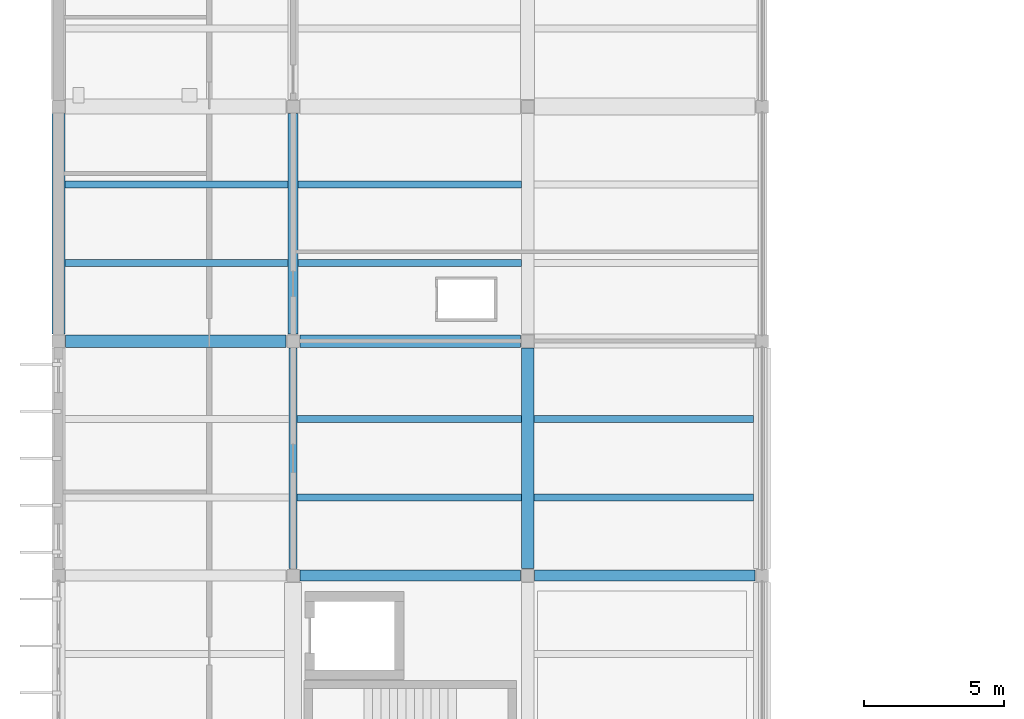
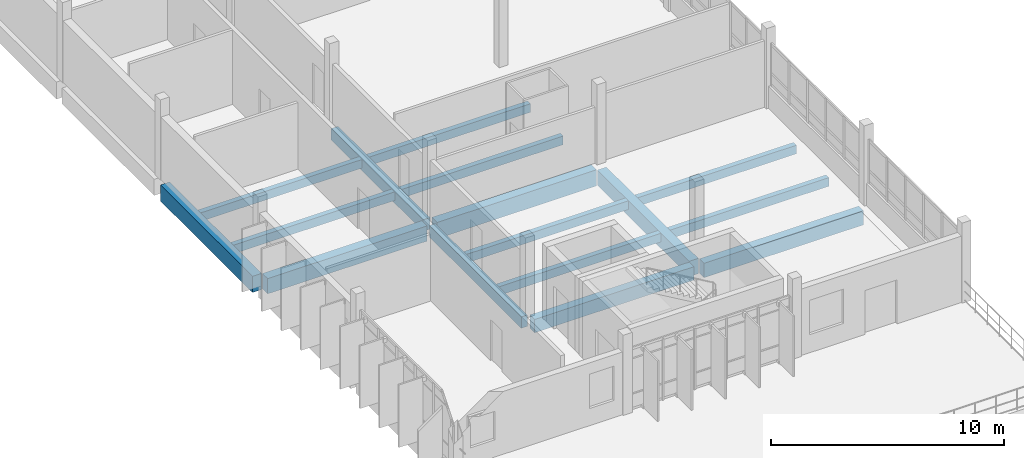
# One storey, part 7 of 62: 16 beams.
"""IFC4 building model written with IfcOpenShell, lengths in metres."""

from ifc_helpers import new_model, si_unit, direction, frame, origin, origin_2d, place, context, subcontext, project, spatial, rectangle, extrude, material, material_profile, profile_set, type_object, element, save


model = new_model("IFC4")

# Units and contexts
model_context = context("Model", 3, precision=1e-05, world=origin(), true_north=direction((0.0, 1.0)))
body_context = subcontext(model_context, "Body", "Model", "MODEL_VIEW")
ifc_project = project(units=[si_unit("LENGTHUNIT", "METRE"), si_unit("AREAUNIT", "SQUARE_METRE"), si_unit("VOLUMEUNIT", "CUBIC_METRE"), si_unit("PLANEANGLEUNIT", "RADIAN"), si_unit("MASSUNIT", "GRAM", prefix="KILO")], contexts=[model_context])

# Site, building, storey
site_placement = place(None, origin())
site = spatial("IfcSite", under=ifc_project, at=site_placement, CompositionType="ELEMENT")
building_placement = place(site_placement, origin())
building = spatial("IfcBuilding", under=site, at=building_placement, Name="Vireocrest Preparatory School", CompositionType="ELEMENT")
storey_placement = place(building_placement, frame((0.0, 0.0, 17.39990234375)))
storey = spatial("IfcBuildingStorey", under=building, at=storey_placement, Name="L04", CompositionType="ELEMENT", Elevation=17.39990234375)

# Beams
ifc_material = material(Name="Concrete 40 MPa", Category="concrete")
ifc_material_profile_1 = material_profile(ifc_material, rectangle(XDim=0.300048828125, YDim=0.60009765625, at=origin_2d()), Name="RC 300x600")
ifc_profile_set_1 = profile_set([ifc_material_profile_1], Name="Concrete 40 MPa")
beam_type_1 = type_object("IfcBeamType", Name="RC Classroom Beam 300x600", PredefinedType="BEAM", material=ifc_profile_set_1)
beam_1_placement = place(storey_placement, frame((50.39990234375, 52.449951171875, -0.539794921875), z_axis=(0.0, 1.0, 0.0), x_axis=(-1.0, 0.0, 0.0)))
element("IfcBeam", 1, at=beam_1_placement, inside=storey, type_object=beam_type_1, Name="Primary Girder B03 L04-1364", PredefinedType="BEAM", context=body_context, shape_type="SweptSolid", body=[
    extrude(rectangle(XDim=0.300048828125, YDim=0.60009765625, at=origin_2d()), origin(), (0.0, 0.0, 1.0), 7.900146484375),
])
ifc_material_profile_2 = material_profile(ifc_material, rectangle(XDim=0.35009765625, YDim=0.60009765625, at=origin_2d()), Name="RC 350x600")
ifc_profile_set_2 = profile_set([ifc_material_profile_2], Name="Concrete 40 MPa")
beam_type_2 = type_object("IfcBeamType", Name="RC Classroom Girder 350x600", PredefinedType="BEAM", material=ifc_profile_set_2)
beam_2_placement = place(storey_placement, frame((50.39990234375, 60.85009765625, -0.539794921875), z_axis=(0.0, 1.0, 0.0), x_axis=(-1.0, 0.0, 0.0)))
element("IfcBeam", 2, at=beam_2_placement, inside=storey, type_object=beam_type_2, Name="Primary Girder B04 L04-1365", PredefinedType="BEAM", context=body_context, shape_type="SweptSolid", body=[
    extrude(rectangle(XDim=0.35009765625, YDim=0.60009765625, at=origin_2d()), origin(), (0.0, 0.0, 1.0), 7.89990234375),
])
ifc_material_profile_3 = material_profile(ifc_material, rectangle(XDim=0.39990234375, YDim=0.75, at=origin_2d()), Name="RC 400x750")
ifc_profile_set_3 = profile_set([ifc_material_profile_3], Name="Concrete 40 MPa")
beam_type_3 = type_object("IfcBeamType", Name="RC Commons Girder 400x750", PredefinedType="BEAM", material=ifc_profile_set_3)
beam_3_placement = place(storey_placement, frame((59.050048828125, 52.199951171875, -0.614990234375), z_axis=(1.0, 0.0, 0.0), x_axis=(0.0, 1.0, 0.0)))
element("IfcBeam", 3, at=beam_3_placement, inside=storey, type_object=beam_type_3, Name="Primary Girder B09 L04-1303", PredefinedType="BEAM", context=body_context, shape_type="SweptSolid", body=[
    extrude(rectangle(XDim=0.39990234375, YDim=0.75, at=origin_2d()), origin(), (0.0, 0.0, 1.0), 7.89990234375),
])
ifc_material_profile_4 = material_profile(ifc_material, rectangle(XDim=0.39990234375, YDim=0.699951171875, at=origin_2d()), Name="RC 400x700")
ifc_profile_set_4 = profile_set([ifc_material_profile_4], Name="Concrete 40 MPa")
beam_type_4 = type_object("IfcBeamType", Name="RC Corridor Girder 400x700", PredefinedType="BEAM", material=ifc_profile_set_4)
beam_4_placement = place(storey_placement, frame((50.64990234375, 52.199951171875, -0.58984375), z_axis=(1.0, 0.0, 0.0), x_axis=(0.0, 1.0, 0.0)))
element("IfcBeam", 4, at=beam_4_placement, inside=storey, type_object=beam_type_4, Name="Primary Girder B08 L04-1302", PredefinedType="BEAM", context=body_context, shape_type="SweptSolid", body=[
    extrude(rectangle(XDim=0.39990234375, YDim=0.699951171875, at=origin_2d()), origin(), (0.0, 0.0, 1.0), 7.900146484375),
])
ifc_material_profile_5 = material_profile(ifc_material, rectangle(XDim=0.449951171875, YDim=0.85009765625, at=origin_2d()), Name="RC 450x850")
ifc_profile_set_5 = profile_set([ifc_material_profile_5], Name="Concrete 40 MPa")
beam_type_5 = type_object("IfcBeamType", Name="RC Heavy Floor Girder 450x850", PredefinedType="BEAM", material=ifc_profile_set_5)
beam_5_placement = place(storey_placement, frame((50.64990234375, 60.60009765625, -0.664794921875), z_axis=(1.0, 0.0, 0.0), x_axis=(0.0, 1.0, 0.0)))
element("IfcBeam", 5, at=beam_5_placement, inside=storey, type_object=beam_type_5, Name="Primary Girder B13 L04-1307", PredefinedType="BEAM", context=body_context, shape_type="SweptSolid", body=[
    extrude(rectangle(XDim=0.449951171875, YDim=0.85009765625, at=origin_2d()), origin(), (0.0, 0.0, 1.0), 7.900146484375),
])
beam_6_placement = place(storey_placement, frame((42.0, 60.85009765625, -0.664794921875), z_axis=(0.0, 1.0, 0.0), x_axis=(-1.0, 0.0, 0.0)))
element("IfcBeam", 6, at=beam_6_placement, inside=storey, type_object=beam_type_5, Name="Primary Girder B13 L04-1356", PredefinedType="BEAM", context=body_context, shape_type="SweptSolid", body=[
    extrude(rectangle(XDim=0.449951171875, YDim=0.85009765625, at=origin_2d()), origin(), (0.0, 0.0, 1.0), 7.89990234375),
])
ifc_material_profile_6 = material_profile(ifc_material, rectangle(XDim=0.449951171875, YDim=0.800048828125, at=origin_2d()), Name="RC 450x800")
ifc_profile_set_6 = profile_set([ifc_material_profile_6], Name="Concrete 40 MPa")
beam_type_6 = type_object("IfcBeamType", Name="RC Library Stack Girder 450x800", PredefinedType="BEAM", material=ifc_profile_set_6)
beam_7_placement = place(storey_placement, frame((42.25, 60.60009765625, -0.639892578125), z_axis=(1.0, 0.0, 0.0), x_axis=(0.0, 1.0, 0.0)))
element("IfcBeam", 7, at=beam_7_placement, inside=storey, type_object=beam_type_6, Name="Primary Girder B12 L04-1306", PredefinedType="BEAM", context=body_context, shape_type="SweptSolid", body=[
    extrude(rectangle(XDim=0.449951171875, YDim=0.800048828125, at=origin_2d()), origin(), (0.0, 0.0, 1.0), 7.89990234375),
])
beam_8_placement = place(storey_placement, frame((58.800048828125, 52.449951171875, -0.639892578125), z_axis=(0.0, 1.0, 0.0), x_axis=(-1.0, 0.0, 0.0)))
element("IfcBeam", 8, at=beam_8_placement, inside=storey, type_object=beam_type_6, Name="Primary Girder B12 L04-1373", PredefinedType="BEAM", context=body_context, shape_type="SweptSolid", body=[
    extrude(rectangle(XDim=0.449951171875, YDim=0.800048828125, at=origin_2d()), origin(), (0.0, 0.0, 1.0), 7.900146484375),
])
ifc_material_profile_7 = material_profile(ifc_material, rectangle(XDim=0.25, YDim=0.449951171875, at=origin_2d()), Name="RC 250x450")
ifc_profile_set_7 = profile_set([ifc_material_profile_7], Name="Concrete 40 MPa")
beam_type_7 = type_object("IfcBeamType", Name="RC Secondary Floor Joist 250x450", PredefinedType="JOIST", material=ifc_profile_set_7)
for number, where, z_axis, x_axis, name in (
    (9, (42.22509765625, 63.39990234375, -0.46484375), (1.0, 0.0, 0.0), (0.0, 1.0, 0.0), "Secondary Joist J01 L04-1427"),
    (10, (42.22509765625, 66.199951171875, -0.46484375), (1.0, 0.0, 0.0), (0.0, 1.0, 0.0), "Secondary Joist J01 L04-1428"),
):
    element("IfcBeam", number, at=place(storey_placement, frame(where, z_axis=z_axis, x_axis=x_axis)), inside=storey, type_object=beam_type_7, Name=name, PredefinedType="JOIST", context=body_context, shape_type="SweptSolid", body=[
        extrude(rectangle(XDim=0.25, YDim=0.449951171875, at=origin_2d()), origin(), (0.0, 0.0, 1.0), 8.0),
    ])
for number, where, z_axis, x_axis, name in (
    (11, (50.550048828125, 55.0, -0.46484375), (1.0, 0.0, 0.0), (0.0, 1.0, 0.0), "Secondary Joist J01 L04-1441"),
    (12, (50.550048828125, 57.800048828125, -0.46484375), (1.0, 0.0, 0.0), (0.0, 1.0, 0.0), "Secondary Joist J01 L04-1442"),
):
    element("IfcBeam", number, at=place(storey_placement, frame(where, z_axis=z_axis, x_axis=x_axis)), inside=storey, type_object=beam_type_7, Name=name, PredefinedType="JOIST", context=body_context, shape_type="SweptSolid", body=[
        extrude(rectangle(XDim=0.25, YDim=0.449951171875, at=origin_2d()), origin(), (0.0, 0.0, 1.0), 8.02490234375),
    ])
for number, where, z_axis, x_axis, name in (
    (13, (50.574951171875, 63.39990234375, -0.46484375), (1.0, 0.0, 0.0), (0.0, 1.0, 0.0), "Secondary Joist J01 L04-1443"),
    (14, (50.574951171875, 66.199951171875, -0.46484375), (1.0, 0.0, 0.0), (0.0, 1.0, 0.0), "Secondary Joist J01 L04-1444"),
):
    element("IfcBeam", number, at=place(storey_placement, frame(where, z_axis=z_axis, x_axis=x_axis)), inside=storey, type_object=beam_type_7, Name=name, PredefinedType="JOIST", context=body_context, shape_type="SweptSolid", body=[
        extrude(rectangle(XDim=0.25, YDim=0.449951171875, at=origin_2d()), origin(), (0.0, 0.0, 1.0), 8.0),
    ])
for number, where, z_axis, x_axis, name in (
    (15, (59.02490234375, 55.0, -0.46484375), (1.0, 0.0, 0.0), (0.0, 1.0, 0.0), "Secondary Joist J01 L04-1457"),
    (16, (59.02490234375, 57.800048828125, -0.46484375), (1.0, 0.0, 0.0), (0.0, 1.0, 0.0), "Secondary Joist J01 L04-1458"),
):
    element("IfcBeam", number, at=place(storey_placement, frame(where, z_axis=z_axis, x_axis=x_axis)), inside=storey, type_object=beam_type_7, Name=name, PredefinedType="JOIST", context=body_context, shape_type="SweptSolid", body=[
        extrude(rectangle(XDim=0.25, YDim=0.449951171875, at=origin_2d()), origin(), (0.0, 0.0, 1.0), 7.875),
    ])

save(model, "model.ifc")
